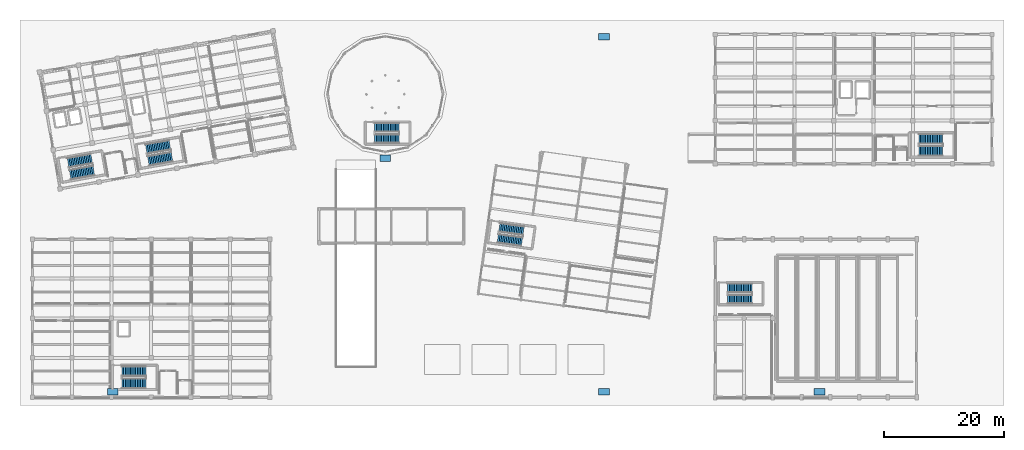
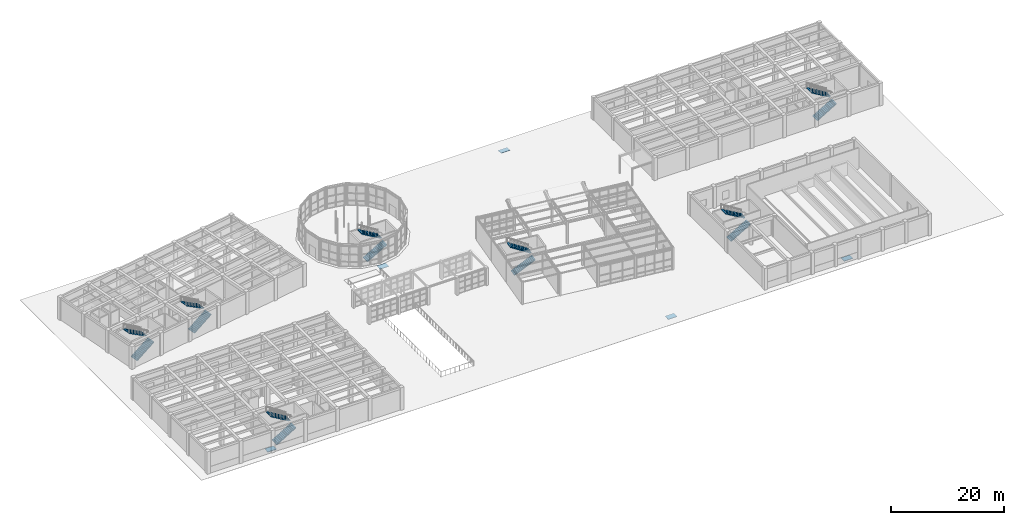
# One storey, part 50 of 57: 14 stair flights, 5 ramp flights, 12 elements without a shape of their own.
"""IFC4 building model written with IfcOpenShell, lengths in metres."""

from ifc_helpers import new_model, si_unit, direction, frame, origin, place, context, subcontext, project, spatial, polyline, outline, extrude, material, type_object, element, aggregate, save


model = new_model("IFC4")

# Units and contexts
model_context = context("Model", 3, precision=1e-05, world=origin(), true_north=direction((0.0, 1.0)))
body_context = subcontext(model_context, "Body", "Model", "MODEL_VIEW")
ifc_project = project(units=[si_unit("LENGTHUNIT", "METRE"), si_unit("AREAUNIT", "SQUARE_METRE"), si_unit("VOLUMEUNIT", "CUBIC_METRE"), si_unit("PLANEANGLEUNIT", "RADIAN"), si_unit("MASSUNIT", "GRAM", prefix="KILO")], contexts=[model_context])

# Site, building, storey
site_placement = place(None, origin())
site = spatial("IfcSite", under=ifc_project, at=site_placement, CompositionType="ELEMENT")
building_placement = place(site_placement, origin())
building = spatial("IfcBuilding", under=site, at=building_placement, Name="Kharisveld Research Institute", CompositionType="ELEMENT")
storey_placement = place(building_placement, origin())
storey = spatial("IfcBuildingStorey", under=building, at=storey_placement, Name="L00", CompositionType="ELEMENT", Elevation=0.0)

# Stair, stair flights
ifc_material_1 = material(Name="Concrete C40/50", Category="concrete")
stair_type_1 = type_object("IfcStairType", Name="ST_FEAT_154", PredefinedType="TWO_STRAIGHT_RUN_STAIR", material=ifc_material_1)
stair_1_placement = place(storey_placement, origin())
stair_1 = element("IfcStair", 1, at=stair_1_placement, inside=storey, type_object=stair_type_1, Name="STR:ST5:L00", PredefinedType="TWO_STRAIGHT_RUN_STAIR")
ifc_material_2 = material(Name="Concrete C40/50", Category="concrete")
stair_flight_type_1 = type_object("IfcStairFlightType", Name="SF_RUN_154", PredefinedType="STRAIGHT", material=ifc_material_2)
stair_flight_1_placement = place(storey_placement, frame((78.28271484375, 26.70263671875, 0.0), z_axis=(0.0, 0.0, 1.0), x_axis=(0.990268068742, -0.13917310096, 0.0)))
stair_flight_1 = element("IfcStairFlight", 2, at=stair_flight_1_placement, type_object=stair_flight_type_1, Name="ST-05 flight 1", NumberOfRisers=15, NumberOfTreads=14, PredefinedType="STRAIGHT", RiserHeight=0.17, TreadLength=0.29, context=body_context, shape_type="SweptSolid", body=[
    extrude(outline(polyline([(0.0, 0.0), (0.0, 0.169921875), (0.2900390625, 0.169921875), (0.2900390625, 0.340087890625), (0.580078125, 0.340087890625), (0.580078125, 0.510009765625), (0.8701171875, 0.510009765625), (0.8701171875, 0.679931640625), (1.159912109375, 0.679931640625), (1.159912109375, 0.85009765625), (1.449951171875, 0.85009765625), (1.449951171875, 1.02001953125), (1.739990234375, 1.02001953125), (1.739990234375, 1.18994140625), (2.030029296875, 1.18994140625), (2.030029296875, 1.360107421875), (2.320068359375, 1.360107421875), (2.320068359375, 1.530029296875), (2.610107421875, 1.530029296875), (2.610107421875, 1.699951171875), (2.89990234375, 1.699951171875), (2.89990234375, 1.8701171875), (3.18994140625, 1.8701171875), (3.18994140625, 2.0400390625), (3.47998046875, 2.0400390625), (3.47998046875, 2.2099609375), (3.77001953125, 2.2099609375), (3.77001953125, 2.3798828125), (4.06005859375, 2.3798828125), (4.06005859375, 2.550048828125), (4.06005859375, 2.206298828125), (0.29638671875, 0.0), (0.0, 0.0)])), frame((0.0, 0.77001953125, 0.0), z_axis=(0.0, -1.0, 0.0), x_axis=(1.0, 0.0, 0.0)), (0.0, 0.0, 1.0), 1.5400390625),
])
stair_flight_2_placement = place(storey_placement, frame((82.567626953125, 28.01904296875, 2.550048828125), z_axis=(0.0, 0.0, 1.0), x_axis=(-0.990268068742, 0.13917310096, 0.0)))
stair_flight_2 = element("IfcStairFlight", 3, at=stair_flight_2_placement, type_object=stair_flight_type_1, Name="ST-05 flight 2", NumberOfRisers=15, NumberOfTreads=14, PredefinedType="STRAIGHT", RiserHeight=0.17, TreadLength=0.29, context=body_context, shape_type="SweptSolid", body=[
    extrude(outline(polyline([(0.0, 0.0), (0.0, 0.169921875), (0.2900390625, 0.169921875), (0.2900390625, 0.340087890625), (0.580078125, 0.340087890625), (0.580078125, 0.510009765625), (0.8701171875, 0.510009765625), (0.8701171875, 0.679931640625), (1.159912109375, 0.679931640625), (1.159912109375, 0.85009765625), (1.449951171875, 0.85009765625), (1.449951171875, 1.02001953125), (1.739990234375, 1.02001953125), (1.739990234375, 1.18994140625), (2.030029296875, 1.18994140625), (2.030029296875, 1.360107421875), (2.320068359375, 1.360107421875), (2.320068359375, 1.530029296875), (2.610107421875, 1.530029296875), (2.610107421875, 1.699951171875), (2.89990234375, 1.699951171875), (2.89990234375, 1.8701171875), (3.18994140625, 1.8701171875), (3.18994140625, 2.0400390625), (3.47998046875, 2.0400390625), (3.47998046875, 2.2099609375), (3.77001953125, 2.2099609375), (3.77001953125, 2.3798828125), (4.06005859375, 2.3798828125), (4.06005859375, 2.550048828125), (4.06005859375, 2.206298828125), (0.29638671875, 0.0), (0.0, 0.0)])), frame((0.0, 0.77001953125, 0.0), z_axis=(0.0, -1.0, 0.0), x_axis=(1.0, 0.0, 0.0)), (0.0, 0.0, 1.0), 1.5400390625),
])
aggregate(stair_1, [stair_flight_1, stair_flight_2])

stair_2_placement = place(storey_placement, origin())
stair_2 = element("IfcStair", 4, at=stair_2_placement, inside=storey, type_object=stair_type_1, Name="STR:ST6:L00", PredefinedType="TWO_STRAIGHT_RUN_STAIR")
stair_flight_3_placement = place(storey_placement, frame((116.669921875, 16.570068359375, 0.0), z_axis=(0.0, 0.0, 1.0), x_axis=(1.0, 0.0, 0.0)))
stair_flight_3 = element("IfcStairFlight", 5, at=stair_flight_3_placement, type_object=stair_flight_type_1, Name="ST-06 flight 1", NumberOfRisers=15, NumberOfTreads=14, PredefinedType="STRAIGHT", RiserHeight=0.17, TreadLength=0.29, context=body_context, shape_type="SweptSolid", body=[
    extrude(outline(polyline([(0.0, 0.0), (0.0, 0.169921875), (0.2900390625, 0.169921875), (0.2900390625, 0.340087890625), (0.580078125, 0.340087890625), (0.580078125, 0.510009765625), (0.8701171875, 0.510009765625), (0.8701171875, 0.679931640625), (1.159912109375, 0.679931640625), (1.159912109375, 0.85009765625), (1.449951171875, 0.85009765625), (1.449951171875, 1.02001953125), (1.739990234375, 1.02001953125), (1.739990234375, 1.18994140625), (2.030029296875, 1.18994140625), (2.030029296875, 1.360107421875), (2.320068359375, 1.360107421875), (2.320068359375, 1.530029296875), (2.610107421875, 1.530029296875), (2.610107421875, 1.699951171875), (2.89990234375, 1.699951171875), (2.89990234375, 1.8701171875), (3.18994140625, 1.8701171875), (3.18994140625, 2.0400390625), (3.47998046875, 2.0400390625), (3.47998046875, 2.2099609375), (3.77001953125, 2.2099609375), (3.77001953125, 2.3798828125), (4.06005859375, 2.3798828125), (4.06005859375, 2.550048828125), (4.06005859375, 2.206298828125), (0.29638671875, 0.0), (0.0, 0.0)])), frame((0.0, 0.77001953125, 0.0), z_axis=(0.0, -1.0, 0.0), x_axis=(1.0, 0.0, 0.0)), (0.0, 0.0, 1.0), 1.5400390625),
])
stair_flight_4_placement = place(storey_placement, frame((120.72998046875, 18.469970703125, 2.550048828125), z_axis=(0.0, 0.0, 1.0), x_axis=(-1.0, 0.0, 0.0)))
stair_flight_4 = element("IfcStairFlight", 6, at=stair_flight_4_placement, type_object=stair_flight_type_1, Name="ST-06 flight 2", NumberOfRisers=15, NumberOfTreads=14, PredefinedType="STRAIGHT", RiserHeight=0.17, TreadLength=0.29, context=body_context, shape_type="SweptSolid", body=[
    extrude(outline(polyline([(0.0, 0.0), (0.0, 0.169921875), (0.2900390625, 0.169921875), (0.2900390625, 0.340087890625), (0.580078125, 0.340087890625), (0.580078125, 0.510009765625), (0.8701171875, 0.510009765625), (0.8701171875, 0.679931640625), (1.159912109375, 0.679931640625), (1.159912109375, 0.85009765625), (1.449951171875, 0.85009765625), (1.449951171875, 1.02001953125), (1.739990234375, 1.02001953125), (1.739990234375, 1.18994140625), (2.030029296875, 1.18994140625), (2.030029296875, 1.360107421875), (2.320068359375, 1.360107421875), (2.320068359375, 1.530029296875), (2.610107421875, 1.530029296875), (2.610107421875, 1.699951171875), (2.89990234375, 1.699951171875), (2.89990234375, 1.8701171875), (3.18994140625, 1.8701171875), (3.18994140625, 2.0400390625), (3.47998046875, 2.0400390625), (3.47998046875, 2.2099609375), (3.77001953125, 2.2099609375), (3.77001953125, 2.3798828125), (4.06005859375, 2.3798828125), (4.06005859375, 2.550048828125), (4.06005859375, 2.206298828125), (0.29638671875, 0.0), (0.0, 0.0)])), frame((0.0, 0.77001953125, 0.0), z_axis=(0.0, -1.0, 0.0), x_axis=(1.0, 0.0, 0.0)), (0.0, 0.0, 1.0), 1.5400390625),
])
aggregate(stair_2, [stair_flight_3, stair_flight_4])

stair_3_placement = place(storey_placement, origin())
stair_3 = element("IfcStair", 7, at=stair_3_placement, inside=storey, type_object=stair_type_1, Name="STR:ST7:L00", PredefinedType="TWO_STRAIGHT_RUN_STAIR")
stair_flight_5_placement = place(storey_placement, frame((57.719970703125, 43.3701171875, 0.0), z_axis=(0.0, 0.0, 1.0), x_axis=(1.0, 0.0, 0.0)))
stair_flight_5 = element("IfcStairFlight", 8, at=stair_flight_5_placement, type_object=stair_flight_type_1, Name="ST-07 flight 1", NumberOfRisers=15, NumberOfTreads=14, PredefinedType="STRAIGHT", RiserHeight=0.17, TreadLength=0.29, context=body_context, shape_type="SweptSolid", body=[
    extrude(outline(polyline([(0.0, 0.0), (0.0, 0.169921875), (0.2900390625, 0.169921875), (0.2900390625, 0.340087890625), (0.580078125, 0.340087890625), (0.580078125, 0.510009765625), (0.8701171875, 0.510009765625), (0.8701171875, 0.679931640625), (1.159912109375, 0.679931640625), (1.159912109375, 0.85009765625), (1.449951171875, 0.85009765625), (1.449951171875, 1.02001953125), (1.739990234375, 1.02001953125), (1.739990234375, 1.18994140625), (2.030029296875, 1.18994140625), (2.030029296875, 1.360107421875), (2.320068359375, 1.360107421875), (2.320068359375, 1.530029296875), (2.610107421875, 1.530029296875), (2.610107421875, 1.699951171875), (2.89990234375, 1.699951171875), (2.89990234375, 1.8701171875), (3.18994140625, 1.8701171875), (3.18994140625, 2.0400390625), (3.47998046875, 2.0400390625), (3.47998046875, 2.2099609375), (3.77001953125, 2.2099609375), (3.77001953125, 2.3798828125), (4.06005859375, 2.3798828125), (4.06005859375, 2.550048828125), (4.06005859375, 2.206298828125), (0.29638671875, 0.0), (0.0, 0.0)])), frame((0.0, 0.77001953125, 0.0), z_axis=(0.0, -1.0, 0.0), x_axis=(1.0, 0.0, 0.0)), (0.0, 0.0, 1.0), 1.5400390625),
])
stair_flight_6_placement = place(storey_placement, frame((61.780029296875, 45.27001953125, 2.550048828125), z_axis=(0.0, 0.0, 1.0), x_axis=(-1.0, 0.0, 0.0)))
stair_flight_6 = element("IfcStairFlight", 9, at=stair_flight_6_placement, type_object=stair_flight_type_1, Name="ST-07 flight 2", NumberOfRisers=15, NumberOfTreads=14, PredefinedType="STRAIGHT", RiserHeight=0.17, TreadLength=0.29, context=body_context, shape_type="SweptSolid", body=[
    extrude(outline(polyline([(0.0, 0.0), (0.0, 0.169921875), (0.2900390625, 0.169921875), (0.2900390625, 0.340087890625), (0.580078125, 0.340087890625), (0.580078125, 0.510009765625), (0.8701171875, 0.510009765625), (0.8701171875, 0.679931640625), (1.159912109375, 0.679931640625), (1.159912109375, 0.85009765625), (1.449951171875, 0.85009765625), (1.449951171875, 1.02001953125), (1.739990234375, 1.02001953125), (1.739990234375, 1.18994140625), (2.030029296875, 1.18994140625), (2.030029296875, 1.360107421875), (2.320068359375, 1.360107421875), (2.320068359375, 1.530029296875), (2.610107421875, 1.530029296875), (2.610107421875, 1.699951171875), (2.89990234375, 1.699951171875), (2.89990234375, 1.8701171875), (3.18994140625, 1.8701171875), (3.18994140625, 2.0400390625), (3.47998046875, 2.0400390625), (3.47998046875, 2.2099609375), (3.77001953125, 2.2099609375), (3.77001953125, 2.3798828125), (4.06005859375, 2.3798828125), (4.06005859375, 2.550048828125), (4.06005859375, 2.206298828125), (0.29638671875, 0.0), (0.0, 0.0)])), frame((0.0, 0.77001953125, 0.0), z_axis=(0.0, -1.0, 0.0), x_axis=(1.0, 0.0, 0.0)), (0.0, 0.0, 1.0), 1.5400390625),
])
aggregate(stair_3, [stair_flight_5, stair_flight_6])

ifc_material_3 = material(Name="Concrete C40/50", Category="concrete")
stair_type_2 = type_object("IfcStairType", Name="ST_EXIT_170", PredefinedType="TWO_STRAIGHT_RUN_STAIR", material=ifc_material_3)
stair_4_placement = place(storey_placement, origin())
stair_4 = element("IfcStair", 10, at=stair_4_placement, inside=storey, type_object=stair_type_2, Name="STR:ST1:L00", PredefinedType="TWO_STRAIGHT_RUN_STAIR")
ifc_material_4 = material(Name="Concrete C40/50", Category="concrete")
stair_flight_type_2 = type_object("IfcStairFlightType", Name="SF_RUN_170", PredefinedType="STRAIGHT", material=ifc_material_4)
stair_flight_7_placement = place(storey_placement, frame((6.891357421875, 37.339111328125, 0.0), z_axis=(0.0, 0.0, 1.0), x_axis=(0.984807753012, 0.173648177667, 0.0)))
stair_flight_7 = element("IfcStairFlight", 11, at=stair_flight_7_placement, type_object=stair_flight_type_2, Name="ST-01 flight 1", NumberOfRisers=15, NumberOfTreads=14, PredefinedType="STRAIGHT", RiserHeight=0.17, TreadLength=0.285, context=body_context, shape_type="SweptSolid", body=[
    extrude(outline(polyline([(0.0, 0.0), (0.0, 0.169921875), (0.284912109375, 0.169921875), (0.284912109375, 0.340087890625), (0.570068359375, 0.340087890625), (0.570068359375, 0.510009765625), (0.85498046875, 0.510009765625), (0.85498046875, 0.679931640625), (1.139892578125, 0.679931640625), (1.139892578125, 0.85009765625), (1.425048828125, 0.85009765625), (1.425048828125, 1.02001953125), (1.7099609375, 1.02001953125), (1.7099609375, 1.18994140625), (1.9951171875, 1.18994140625), (1.9951171875, 1.360107421875), (2.280029296875, 1.360107421875), (2.280029296875, 1.530029296875), (2.56494140625, 1.530029296875), (2.56494140625, 1.699951171875), (2.85009765625, 1.699951171875), (2.85009765625, 1.8701171875), (3.135009765625, 1.8701171875), (3.135009765625, 2.0400390625), (3.419921875, 2.0400390625), (3.419921875, 2.2099609375), (3.705078125, 2.2099609375), (3.705078125, 2.3798828125), (3.989990234375, 2.3798828125), (3.989990234375, 2.550048828125), (3.989990234375, 2.20556640625), (0.292724609375, 0.0), (0.0, 0.0)])), frame((0.0, 0.85009765625, 0.0), z_axis=(0.0, -1.0, 0.0), x_axis=(1.0, 0.0, 0.0)), (0.0, 0.0, 1.0), 1.699951171875),
])
stair_flight_8_placement = place(storey_placement, frame((10.462890625, 40.060546875, 2.550048828125), z_axis=(0.0, 0.0, 1.0), x_axis=(-0.984807753012, -0.173648177667, 0.0)))
stair_flight_8 = element("IfcStairFlight", 12, at=stair_flight_8_placement, type_object=stair_flight_type_2, Name="ST-01 flight 2", NumberOfRisers=15, NumberOfTreads=14, PredefinedType="STRAIGHT", RiserHeight=0.17, TreadLength=0.285, context=body_context, shape_type="SweptSolid", body=[
    extrude(outline(polyline([(0.0, 0.0), (0.0, 0.169921875), (0.284912109375, 0.169921875), (0.284912109375, 0.340087890625), (0.570068359375, 0.340087890625), (0.570068359375, 0.510009765625), (0.85498046875, 0.510009765625), (0.85498046875, 0.679931640625), (1.139892578125, 0.679931640625), (1.139892578125, 0.85009765625), (1.425048828125, 0.85009765625), (1.425048828125, 1.02001953125), (1.7099609375, 1.02001953125), (1.7099609375, 1.18994140625), (1.9951171875, 1.18994140625), (1.9951171875, 1.360107421875), (2.280029296875, 1.360107421875), (2.280029296875, 1.530029296875), (2.56494140625, 1.530029296875), (2.56494140625, 1.699951171875), (2.85009765625, 1.699951171875), (2.85009765625, 1.8701171875), (3.135009765625, 1.8701171875), (3.135009765625, 2.0400390625), (3.419921875, 2.0400390625), (3.419921875, 2.2099609375), (3.705078125, 2.2099609375), (3.705078125, 2.3798828125), (3.989990234375, 2.3798828125), (3.989990234375, 2.550048828125), (3.989990234375, 2.20556640625), (0.292724609375, 0.0), (0.0, 0.0)])), frame((0.0, 0.85009765625, 0.0), z_axis=(0.0, -1.0, 0.0), x_axis=(1.0, 0.0, 0.0)), (0.0, 0.0, 1.0), 1.699951171875),
])
aggregate(stair_4, [stair_flight_7, stair_flight_8])

stair_5_placement = place(storey_placement, origin())
stair_5 = element("IfcStair", 13, at=stair_5_placement, inside=storey, type_object=stair_type_2, Name="STR:ST2:L00", PredefinedType="TWO_STRAIGHT_RUN_STAIR")
stair_flight_9_placement = place(storey_placement, frame((19.93994140625, 39.639892578125, 0.0), z_axis=(0.0, 0.0, 1.0), x_axis=(0.984807753012, 0.173648177667, 0.0)))
stair_flight_9 = element("IfcStairFlight", 14, at=stair_flight_9_placement, type_object=stair_flight_type_2, Name="ST-02 flight 1", NumberOfRisers=15, NumberOfTreads=14, PredefinedType="STRAIGHT", RiserHeight=0.17, TreadLength=0.285, context=body_context, shape_type="SweptSolid", body=[
    extrude(outline(polyline([(0.0, 0.0), (0.0, 0.169921875), (0.284912109375, 0.169921875), (0.284912109375, 0.340087890625), (0.570068359375, 0.340087890625), (0.570068359375, 0.510009765625), (0.85498046875, 0.510009765625), (0.85498046875, 0.679931640625), (1.139892578125, 0.679931640625), (1.139892578125, 0.85009765625), (1.425048828125, 0.85009765625), (1.425048828125, 1.02001953125), (1.7099609375, 1.02001953125), (1.7099609375, 1.18994140625), (1.9951171875, 1.18994140625), (1.9951171875, 1.360107421875), (2.280029296875, 1.360107421875), (2.280029296875, 1.530029296875), (2.56494140625, 1.530029296875), (2.56494140625, 1.699951171875), (2.85009765625, 1.699951171875), (2.85009765625, 1.8701171875), (3.135009765625, 1.8701171875), (3.135009765625, 2.0400390625), (3.419921875, 2.0400390625), (3.419921875, 2.2099609375), (3.705078125, 2.2099609375), (3.705078125, 2.3798828125), (3.989990234375, 2.3798828125), (3.989990234375, 2.550048828125), (3.989990234375, 2.20556640625), (0.292724609375, 0.0), (0.0, 0.0)])), frame((0.0, 0.85009765625, 0.0), z_axis=(0.0, -1.0, 0.0), x_axis=(1.0, 0.0, 0.0)), (0.0, 0.0, 1.0), 1.699951171875),
])
stair_flight_10_placement = place(storey_placement, frame((23.51171875, 42.361572265625, 2.550048828125), z_axis=(0.0, 0.0, 1.0), x_axis=(-0.984807753012, -0.173648177667, 0.0)))
stair_flight_10 = element("IfcStairFlight", 15, at=stair_flight_10_placement, type_object=stair_flight_type_2, Name="ST-02 flight 2", NumberOfRisers=15, NumberOfTreads=14, PredefinedType="STRAIGHT", RiserHeight=0.17, TreadLength=0.285, context=body_context, shape_type="SweptSolid", body=[
    extrude(outline(polyline([(0.0, 0.0), (0.0, 0.169921875), (0.284912109375, 0.169921875), (0.284912109375, 0.340087890625), (0.570068359375, 0.340087890625), (0.570068359375, 0.510009765625), (0.85498046875, 0.510009765625), (0.85498046875, 0.679931640625), (1.139892578125, 0.679931640625), (1.139892578125, 0.85009765625), (1.425048828125, 0.85009765625), (1.425048828125, 1.02001953125), (1.7099609375, 1.02001953125), (1.7099609375, 1.18994140625), (1.9951171875, 1.18994140625), (1.9951171875, 1.360107421875), (2.280029296875, 1.360107421875), (2.280029296875, 1.530029296875), (2.56494140625, 1.530029296875), (2.56494140625, 1.699951171875), (2.85009765625, 1.699951171875), (2.85009765625, 1.8701171875), (3.135009765625, 1.8701171875), (3.135009765625, 2.0400390625), (3.419921875, 2.0400390625), (3.419921875, 2.2099609375), (3.705078125, 2.2099609375), (3.705078125, 2.3798828125), (3.989990234375, 2.3798828125), (3.989990234375, 2.550048828125), (3.989990234375, 2.20556640625), (0.292724609375, 0.0), (0.0, 0.0)])), frame((0.0, 0.85009765625, 0.0), z_axis=(0.0, -1.0, 0.0), x_axis=(1.0, 0.0, 0.0)), (0.0, 0.0, 1.0), 1.699951171875),
])
aggregate(stair_5, [stair_flight_9, stair_flight_10])

stair_6_placement = place(storey_placement, origin())
stair_6 = element("IfcStair", 16, at=stair_6_placement, inside=storey, type_object=stair_type_2, Name="STR:ST3:L00", PredefinedType="TWO_STRAIGHT_RUN_STAIR")
stair_flight_11_placement = place(storey_placement, frame((148.570068359375, 41.300048828125, 0.0), z_axis=(0.0, 0.0, 1.0), x_axis=(1.0, 0.0, 0.0)))
stair_flight_11 = element("IfcStairFlight", 17, at=stair_flight_11_placement, type_object=stair_flight_type_2, Name="ST-03 flight 1", NumberOfRisers=15, NumberOfTreads=14, PredefinedType="STRAIGHT", RiserHeight=0.17, TreadLength=0.285, context=body_context, shape_type="SweptSolid", body=[
    extrude(outline(polyline([(0.0, 0.0), (0.0, 0.169921875), (0.284912109375, 0.169921875), (0.284912109375, 0.340087890625), (0.570068359375, 0.340087890625), (0.570068359375, 0.510009765625), (0.85498046875, 0.510009765625), (0.85498046875, 0.679931640625), (1.139892578125, 0.679931640625), (1.139892578125, 0.85009765625), (1.425048828125, 0.85009765625), (1.425048828125, 1.02001953125), (1.7099609375, 1.02001953125), (1.7099609375, 1.18994140625), (1.9951171875, 1.18994140625), (1.9951171875, 1.360107421875), (2.280029296875, 1.360107421875), (2.280029296875, 1.530029296875), (2.56494140625, 1.530029296875), (2.56494140625, 1.699951171875), (2.85009765625, 1.699951171875), (2.85009765625, 1.8701171875), (3.135009765625, 1.8701171875), (3.135009765625, 2.0400390625), (3.419921875, 2.0400390625), (3.419921875, 2.2099609375), (3.705078125, 2.2099609375), (3.705078125, 2.3798828125), (3.989990234375, 2.3798828125), (3.989990234375, 2.550048828125), (3.989990234375, 2.20556640625), (0.292724609375, 0.0), (0.0, 0.0)])), frame((0.0, 0.85009765625, 0.0), z_axis=(0.0, -1.0, 0.0), x_axis=(1.0, 0.0, 0.0)), (0.0, 0.0, 1.0), 1.699951171875),
])
stair_flight_12_placement = place(storey_placement, frame((152.56005859375, 43.360107421875, 2.550048828125), z_axis=(0.0, 0.0, 1.0), x_axis=(-1.0, 0.0, 0.0)))
stair_flight_12 = element("IfcStairFlight", 18, at=stair_flight_12_placement, type_object=stair_flight_type_2, Name="ST-03 flight 2", NumberOfRisers=15, NumberOfTreads=14, PredefinedType="STRAIGHT", RiserHeight=0.17, TreadLength=0.285, context=body_context, shape_type="SweptSolid", body=[
    extrude(outline(polyline([(0.0, 0.0), (0.0, 0.169921875), (0.284912109375, 0.169921875), (0.284912109375, 0.340087890625), (0.570068359375, 0.340087890625), (0.570068359375, 0.510009765625), (0.85498046875, 0.510009765625), (0.85498046875, 0.679931640625), (1.139892578125, 0.679931640625), (1.139892578125, 0.85009765625), (1.425048828125, 0.85009765625), (1.425048828125, 1.02001953125), (1.7099609375, 1.02001953125), (1.7099609375, 1.18994140625), (1.9951171875, 1.18994140625), (1.9951171875, 1.360107421875), (2.280029296875, 1.360107421875), (2.280029296875, 1.530029296875), (2.56494140625, 1.530029296875), (2.56494140625, 1.699951171875), (2.85009765625, 1.699951171875), (2.85009765625, 1.8701171875), (3.135009765625, 1.8701171875), (3.135009765625, 2.0400390625), (3.419921875, 2.0400390625), (3.419921875, 2.2099609375), (3.705078125, 2.2099609375), (3.705078125, 2.3798828125), (3.989990234375, 2.3798828125), (3.989990234375, 2.550048828125), (3.989990234375, 2.20556640625), (0.292724609375, 0.0), (0.0, 0.0)])), frame((0.0, 0.85009765625, 0.0), z_axis=(0.0, -1.0, 0.0), x_axis=(1.0, 0.0, 0.0)), (0.0, 0.0, 1.0), 1.699951171875),
])
aggregate(stair_6, [stair_flight_11, stair_flight_12])

stair_7_placement = place(storey_placement, origin())
stair_7 = element("IfcStair", 19, at=stair_7_placement, inside=storey, type_object=stair_type_2, Name="STR:ST4:L00", PredefinedType="TWO_STRAIGHT_RUN_STAIR")
stair_flight_13_placement = place(storey_placement, frame((15.52001953125, 2.5, 0.0), z_axis=(0.0, 0.0, 1.0), x_axis=(1.0, 0.0, 0.0)))
stair_flight_13 = element("IfcStairFlight", 20, at=stair_flight_13_placement, type_object=stair_flight_type_2, Name="ST-04 flight 1", NumberOfRisers=15, NumberOfTreads=14, PredefinedType="STRAIGHT", RiserHeight=0.17, TreadLength=0.285, context=body_context, shape_type="SweptSolid", body=[
    extrude(outline(polyline([(0.0, 0.0), (0.0, 0.169921875), (0.284912109375, 0.169921875), (0.284912109375, 0.340087890625), (0.570068359375, 0.340087890625), (0.570068359375, 0.510009765625), (0.85498046875, 0.510009765625), (0.85498046875, 0.679931640625), (1.139892578125, 0.679931640625), (1.139892578125, 0.85009765625), (1.425048828125, 0.85009765625), (1.425048828125, 1.02001953125), (1.7099609375, 1.02001953125), (1.7099609375, 1.18994140625), (1.9951171875, 1.18994140625), (1.9951171875, 1.360107421875), (2.280029296875, 1.360107421875), (2.280029296875, 1.530029296875), (2.56494140625, 1.530029296875), (2.56494140625, 1.699951171875), (2.85009765625, 1.699951171875), (2.85009765625, 1.8701171875), (3.135009765625, 1.8701171875), (3.135009765625, 2.0400390625), (3.419921875, 2.0400390625), (3.419921875, 2.2099609375), (3.705078125, 2.2099609375), (3.705078125, 2.3798828125), (3.989990234375, 2.3798828125), (3.989990234375, 2.550048828125), (3.989990234375, 2.20556640625), (0.292724609375, 0.0), (0.0, 0.0)])), frame((0.0, 0.85009765625, 0.0), z_axis=(0.0, -1.0, 0.0), x_axis=(1.0, 0.0, 0.0)), (0.0, 0.0, 1.0), 1.699951171875),
])
stair_flight_14_placement = place(storey_placement, frame((19.510009765625, 4.56005859375, 2.550048828125), z_axis=(0.0, 0.0, 1.0), x_axis=(-1.0, 0.0, 0.0)))
stair_flight_14 = element("IfcStairFlight", 21, at=stair_flight_14_placement, type_object=stair_flight_type_2, Name="ST-04 flight 2", NumberOfRisers=15, NumberOfTreads=14, PredefinedType="STRAIGHT", RiserHeight=0.17, TreadLength=0.285, context=body_context, shape_type="SweptSolid", body=[
    extrude(outline(polyline([(0.0, 0.0), (0.0, 0.169921875), (0.284912109375, 0.169921875), (0.284912109375, 0.340087890625), (0.570068359375, 0.340087890625), (0.570068359375, 0.510009765625), (0.85498046875, 0.510009765625), (0.85498046875, 0.679931640625), (1.139892578125, 0.679931640625), (1.139892578125, 0.85009765625), (1.425048828125, 0.85009765625), (1.425048828125, 1.02001953125), (1.7099609375, 1.02001953125), (1.7099609375, 1.18994140625), (1.9951171875, 1.18994140625), (1.9951171875, 1.360107421875), (2.280029296875, 1.360107421875), (2.280029296875, 1.530029296875), (2.56494140625, 1.530029296875), (2.56494140625, 1.699951171875), (2.85009765625, 1.699951171875), (2.85009765625, 1.8701171875), (3.135009765625, 1.8701171875), (3.135009765625, 2.0400390625), (3.419921875, 2.0400390625), (3.419921875, 2.2099609375), (3.705078125, 2.2099609375), (3.705078125, 2.3798828125), (3.989990234375, 2.3798828125), (3.989990234375, 2.550048828125), (3.989990234375, 2.20556640625), (0.292724609375, 0.0), (0.0, 0.0)])), frame((0.0, 0.85009765625, 0.0), z_axis=(0.0, -1.0, 0.0), x_axis=(1.0, 0.0, 0.0)), (0.0, 0.0, 1.0), 1.699951171875),
])
aggregate(stair_7, [stair_flight_13, stair_flight_14])

# Ramp, ramp flight
ifc_material_5 = material(Name="Concrete C35/45", Category="concrete")
ramp_type = type_object("IfcRampType", Name="RMP_PED_180", PredefinedType="STRAIGHT_RUN_RAMP")
ramp_1_placement = place(storey_placement, origin())
ramp_1 = element("IfcRamp", 22, at=ramp_1_placement, inside=storey, type_object=ramp_type, material=ifc_material_5, Name="RMP_PED_N1", PredefinedType="STRAIGHT_RUN_RAMP")
ramp_flight_type = type_object("IfcRampFlightType", Name="RFL_STR", PredefinedType="STRAIGHT")
ramp_flight_1_placement = place(storey_placement, frame((96.0, 60.949951171875, -0.06005859375), z_axis=(0.0, 0.0, 1.0), x_axis=(0.0, -1.0, 0.0)))
ramp_flight_1 = element("IfcRampFlight", 23, at=ramp_flight_1_placement, type_object=ramp_flight_type, material=ifc_material_5, Name="RMP_PED_N1-FL", PredefinedType="STRAIGHT", context=body_context, shape_type="SweptSolid", body=[
    extrude(outline(polyline([(0.0, 0.0), (0.0, -0.10009765625), (0.35009765625, -0.10009765625), (0.75, -0.0400390625), (1.10009765625, -0.0400390625), (1.10009765625, 0.06005859375), (0.0, 0.0)])), frame((0.0, 0.89990234375, 0.0), z_axis=(0.0, -1.0, 0.0), x_axis=(1.0, 0.0, 0.0)), (0.0, 0.0, 1.0), 1.800048828125),
])
aggregate(ramp_1, [ramp_flight_1])

ramp_2_placement = place(storey_placement, origin())
ramp_2 = element("IfcRamp", 24, at=ramp_2_placement, inside=storey, type_object=ramp_type, material=ifc_material_5, Name="RMP_PED_S1", PredefinedType="STRAIGHT_RUN_RAMP")
ramp_flight_2_placement = place(storey_placement, frame((96.0, 0.60009765625, -0.06005859375), z_axis=(0.0, 0.0, 1.0), x_axis=(0.0, 1.0, 0.0)))
ramp_flight_2 = element("IfcRampFlight", 25, at=ramp_flight_2_placement, type_object=ramp_flight_type, material=ifc_material_5, Name="RMP_PED_S1-FL", PredefinedType="STRAIGHT", context=body_context, shape_type="SweptSolid", body=[
    extrude(outline(polyline([(0.0, 0.0), (0.0, -0.10009765625), (0.35009765625, -0.10009765625), (0.75, -0.0400390625), (1.10009765625, -0.0400390625), (1.10009765625, 0.06005859375), (0.0, 0.0)])), frame((0.0, 0.89990234375, 0.0), z_axis=(0.0, -1.0, 0.0), x_axis=(1.0, 0.0, 0.0)), (0.0, 0.0, 1.0), 1.800048828125),
])
aggregate(ramp_2, [ramp_flight_2])

ramp_3_placement = place(storey_placement, origin())
ramp_3 = element("IfcRamp", 26, at=ramp_3_placement, inside=storey, type_object=ramp_type, material=ifc_material_5, Name="RMP_PED_W1", PredefinedType="STRAIGHT_RUN_RAMP")
ramp_flight_3_placement = place(storey_placement, frame((14.0, 0.60009765625, -0.06005859375), z_axis=(0.0, 0.0, 1.0), x_axis=(0.0, 1.0, 0.0)))
ramp_flight_3 = element("IfcRampFlight", 27, at=ramp_flight_3_placement, type_object=ramp_flight_type, material=ifc_material_5, Name="RMP_PED_W1-FL", PredefinedType="STRAIGHT", context=body_context, shape_type="SweptSolid", body=[
    extrude(outline(polyline([(0.0, 0.0), (0.0, -0.10009765625), (0.35009765625, -0.10009765625), (0.75, -0.0400390625), (1.10009765625, -0.0400390625), (1.10009765625, 0.06005859375), (0.0, 0.0)])), frame((0.0, 0.89990234375, 0.0), z_axis=(0.0, -1.0, 0.0), x_axis=(1.0, 0.0, 0.0)), (0.0, 0.0, 1.0), 1.800048828125),
])
aggregate(ramp_3, [ramp_flight_3])

ramp_4_placement = place(storey_placement, origin())
ramp_4 = element("IfcRamp", 28, at=ramp_4_placement, inside=storey, type_object=ramp_type, material=ifc_material_5, Name="RMP_PED_E1", PredefinedType="STRAIGHT_RUN_RAMP")
ramp_flight_4_placement = place(storey_placement, frame((132.0, 0.60009765625, -0.06005859375), z_axis=(0.0, 0.0, 1.0), x_axis=(0.0, 1.0, 0.0)))
ramp_flight_4 = element("IfcRampFlight", 29, at=ramp_flight_4_placement, type_object=ramp_flight_type, material=ifc_material_5, Name="RMP_PED_E1-FL", PredefinedType="STRAIGHT", context=body_context, shape_type="SweptSolid", body=[
    extrude(outline(polyline([(0.0, 0.0), (0.0, -0.10009765625), (0.35009765625, -0.10009765625), (0.75, -0.0400390625), (1.10009765625, -0.0400390625), (1.10009765625, 0.06005859375), (0.0, 0.0)])), frame((0.0, 0.89990234375, 0.0), z_axis=(0.0, -1.0, 0.0), x_axis=(1.0, 0.0, 0.0)), (0.0, 0.0, 1.0), 1.800048828125),
])
aggregate(ramp_4, [ramp_flight_4])

ramp_5_placement = place(storey_placement, origin())
ramp_5 = element("IfcRamp", 30, at=ramp_5_placement, inside=storey, type_object=ramp_type, material=ifc_material_5, Name="RMP_PED_C1", PredefinedType="STRAIGHT_RUN_RAMP")
ramp_flight_5_placement = place(storey_placement, frame((59.5, 39.60009765625, -0.06005859375), z_axis=(0.0, 0.0, 1.0), x_axis=(0.0, 1.0, 0.0)))
ramp_flight_5 = element("IfcRampFlight", 31, at=ramp_flight_5_placement, type_object=ramp_flight_type, material=ifc_material_5, Name="RMP_PED_C1-FL", PredefinedType="STRAIGHT", context=body_context, shape_type="SweptSolid", body=[
    extrude(outline(polyline([(0.0, 0.0), (0.0, -0.10009765625), (0.35009765625, -0.10009765625), (0.75, -0.0400390625), (1.10009765625, -0.0400390625), (1.10009765625, 0.06005859375), (0.0, 0.0)])), frame((0.0, 0.89990234375, 0.0), z_axis=(0.0, -1.0, 0.0), x_axis=(1.0, 0.0, 0.0)), (0.0, 0.0, 1.0), 1.800048828125),
])
aggregate(ramp_5, [ramp_flight_5])

save(model, "model.ifc")
